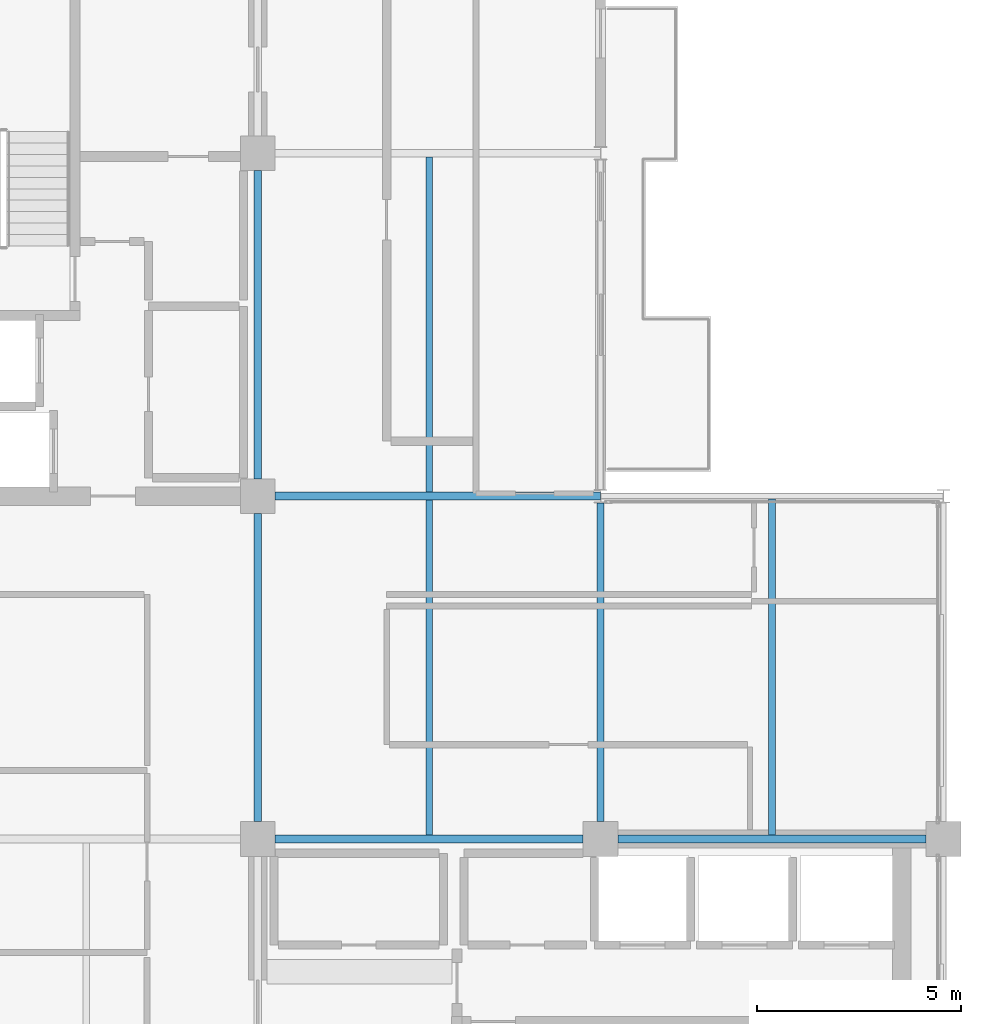
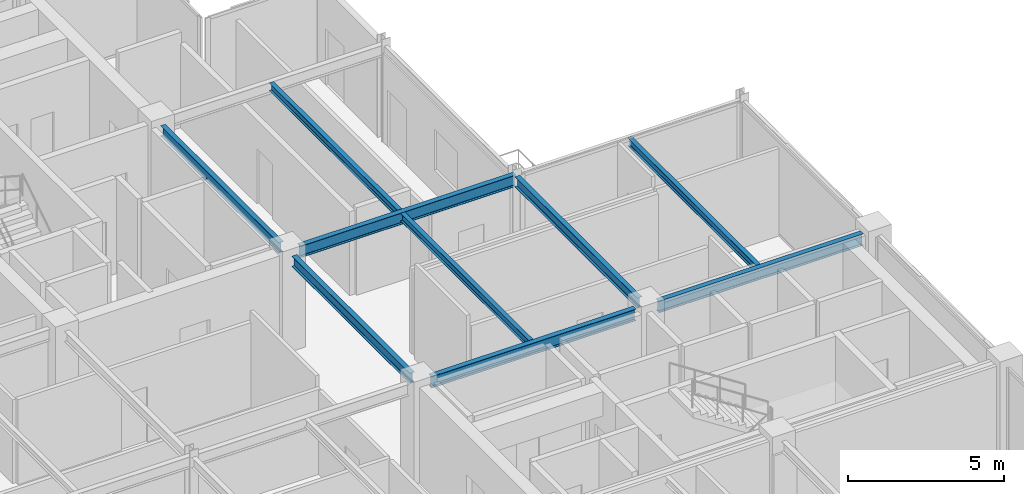
# One storey, part 12 of 24: 9 beams.
"""IFC4 building model written with IfcOpenShell, lengths in metres."""

from ifc_helpers import new_model, si_unit, direction, frame, origin, origin_2d, place, context, subcontext, project, spatial, i_section, extrude, material, material_profile, profile_set, type_object, element, save


model = new_model("IFC4")

# Units and contexts
model_context = context("Model", 3, precision=1e-05, world=origin(), true_north=direction((0.0, 1.0)))
body_context = subcontext(model_context, "Body", "Model", "MODEL_VIEW")
ifc_project = project(units=[si_unit("LENGTHUNIT", "METRE"), si_unit("AREAUNIT", "SQUARE_METRE"), si_unit("VOLUMEUNIT", "CUBIC_METRE"), si_unit("PLANEANGLEUNIT", "RADIAN"), si_unit("MASSUNIT", "GRAM", prefix="KILO")], contexts=[model_context])

# Site, building, storey
site_placement = place(None, origin())
site = spatial("IfcSite", under=ifc_project, at=site_placement, CompositionType="ELEMENT")
building_placement = place(site_placement, origin())
building = spatial("IfcBuilding", under=site, at=building_placement, Name="Nerrivon Quay Data Exchange", CompositionType="ELEMENT")
storey_placement = place(building_placement, frame((0.0, 0.0, 298.199951171875)))
storey = spatial("IfcBuildingStorey", under=building, at=storey_placement, Name="L71", CompositionType="ELEMENT", Elevation=298.199951171875)

# Beams
ifc_material = material(Name="Steel Grade 350", Category="steel")
ifc_material_profile_1 = material_profile(ifc_material, i_section(OverallWidth=0.18994140625, OverallDepth=0.4541015625, WebThickness=0.008544921875, FlangeThickness=0.0126953125, FilletRadius=0.011474609375, at=origin_2d()), Name="460UB67.1")
ifc_profile_set_1 = profile_set([ifc_material_profile_1], Name="Steel Grade 350")
beam_type_1 = type_object("IfcBeamType", Name="BM-G6-460UB67", PredefinedType="BEAM", material=ifc_profile_set_1)
beam_1_placement = place(storey_placement, frame((17.22509765625, 16.800048828125, 3.498046875), z_axis=(1.0, 0.0, 0.0), x_axis=(0.0, 1.0, 0.0)))
element("IfcBeam", 1, at=beam_1_placement, inside=storey, type_object=beam_type_1, Name="L71 EW Girder Y=16.8 (16.8..25.2)", PredefinedType="BEAM", context=body_context, shape_type="SweptSolid", body=[
    extrude(i_section(OverallWidth=0.18994140625, OverallDepth=0.4541015625, WebThickness=0.008544921875, FlangeThickness=0.0126953125, FilletRadius=0.011474609375, at=origin_2d()), origin(), (0.0, 0.0, 1.0), 7.5498046875),
])
beam_2_placement = place(storey_placement, frame((25.625, 16.800048828125, 3.498046875), z_axis=(1.0, 0.0, 0.0), x_axis=(0.0, 1.0, 0.0)))
element("IfcBeam", 2, at=beam_2_placement, inside=storey, type_object=beam_type_1, Name="L71 EW Girder Y=16.8 (25.2..33.6)", PredefinedType="BEAM", context=body_context, shape_type="SweptSolid", body=[
    extrude(i_section(OverallWidth=0.18994140625, OverallDepth=0.4541015625, WebThickness=0.008544921875, FlangeThickness=0.0126953125, FilletRadius=0.011474609375, at=origin_2d()), origin(), (0.0, 0.0, 1.0), 7.550048828125),
])
beam_3_placement = place(storey_placement, frame((17.22509765625, 25.199951171875, 3.498046875), z_axis=(1.0, 0.0, 0.0), x_axis=(0.0, 1.0, 0.0)))
element("IfcBeam", 3, at=beam_3_placement, inside=storey, type_object=beam_type_1, Name="L71 EW Girder Y=25.2 (16.8..25.2)", PredefinedType="BEAM", context=body_context, shape_type="SweptSolid", body=[
    extrude(i_section(OverallWidth=0.18994140625, OverallDepth=0.4541015625, WebThickness=0.008544921875, FlangeThickness=0.0126953125, FilletRadius=0.011474609375, at=origin_2d()), origin(), (0.0, 0.0, 1.0), 7.967041015625),
])
ifc_material_profile_2 = material_profile(ifc_material, i_section(OverallWidth=0.177978515625, OverallDepth=0.406005859375, WebThickness=0.0078125, FlangeThickness=0.0126953125, FilletRadius=0.011474609375, at=origin_2d()), Name="410UB59.7")
ifc_profile_set_2 = profile_set([ifc_material_profile_2], Name="Steel Grade 350")
beam_type_2 = type_object("IfcBeamType", Name="BM-J1-410UB60", PredefinedType="JOIST", material=ifc_profile_set_2)
beam_4_placement = place(storey_placement, frame((16.800048828125, 17.22509765625, 3.52197265625), z_axis=(0.0, 1.0, 0.0), x_axis=(-1.0, 0.0, 0.0)))
element("IfcBeam", 4, at=beam_4_placement, inside=storey, type_object=beam_type_2, Name="L71 NS Girder X=16.8 (16.8..25.2)", PredefinedType="JOIST", context=body_context, shape_type="SweptSolid", body=[
    extrude(i_section(OverallWidth=0.177978515625, OverallDepth=0.406005859375, WebThickness=0.0078125, FlangeThickness=0.0126953125, FilletRadius=0.011474609375, at=origin_2d()), origin(), (0.0, 0.0, 1.0), 7.5498046875),
])
beam_5_placement = place(storey_placement, frame((16.800048828125, 25.625, 3.52197265625), z_axis=(0.0, 1.0, 0.0), x_axis=(-1.0, 0.0, 0.0)))
element("IfcBeam", 5, at=beam_5_placement, inside=storey, type_object=beam_type_2, Name="L71 NS Girder X=16.8 (25.2..33.6)", PredefinedType="JOIST", context=body_context, shape_type="SweptSolid", body=[
    extrude(i_section(OverallWidth=0.177978515625, OverallDepth=0.406005859375, WebThickness=0.0078125, FlangeThickness=0.0126953125, FilletRadius=0.011474609375, at=origin_2d()), origin(), (0.0, 0.0, 1.0), 7.550048828125),
])
beam_6_placement = place(storey_placement, frame((25.199951171875, 17.22509765625, 3.52197265625), z_axis=(0.0, 1.0, 0.0), x_axis=(-1.0, 0.0, 0.0)))
element("IfcBeam", 6, at=beam_6_placement, inside=storey, type_object=beam_type_2, Name="L71 NS Girder X=25.2 (16.8..25.2)", PredefinedType="JOIST", context=body_context, shape_type="SweptSolid", body=[
    extrude(i_section(OverallWidth=0.177978515625, OverallDepth=0.406005859375, WebThickness=0.0078125, FlangeThickness=0.0126953125, FilletRadius=0.011474609375, at=origin_2d()), origin(), (0.0, 0.0, 1.0), 7.8115234375),
])
ifc_material_profile_3 = material_profile(ifc_material, i_section(OverallWidth=0.1650390625, OverallDepth=0.303955078125, WebThickness=0.006103515625, FlangeThickness=0.01025390625, FilletRadius=0.011474609375, at=origin_2d()), Name="310UB40.4")
ifc_profile_set_3 = profile_set([ifc_material_profile_3], Name="Steel Grade 350")
beam_type_3 = type_object("IfcBeamType", Name="BM-J6-310UB40", PredefinedType="JOIST", material=ifc_profile_set_3)
for number, where, z_axis, x_axis, name in (
    (7, (21.0, 16.89501953125, 3.572998046875), (0.0, 1.0, 0.0), (-1.0, 0.0, 0.0), "L71 Secondary Joist X=21.0 (16.8..25.2)"),
    (8, (21.0, 25.294921875, 3.572998046875), (0.0, 1.0, 0.0), (-1.0, 0.0, 0.0), "L71 Secondary Joist X=21.0 (25.2..33.6)"),
):
    element("IfcBeam", number, at=place(storey_placement, frame(where, z_axis=z_axis, x_axis=x_axis)), inside=storey, type_object=beam_type_3, Name=name, PredefinedType="JOIST", context=body_context, shape_type="SweptSolid", body=[
        extrude(i_section(OverallWidth=0.1650390625, OverallDepth=0.303955078125, WebThickness=0.006103515625, FlangeThickness=0.01025390625, FilletRadius=0.011474609375, at=origin_2d()), origin(), (0.0, 0.0, 1.0), 8.2099609375),
    ])
beam_7_placement = place(storey_placement, frame((29.39990234375, 16.89501953125, 3.572998046875), z_axis=(0.0, 1.0, 0.0), x_axis=(-1.0, 0.0, 0.0)))
element("IfcBeam", 9, at=beam_7_placement, inside=storey, type_object=beam_type_3, Name="L71 Secondary Joist X=29.4 (16.8..25.2)", PredefinedType="JOIST", context=body_context, shape_type="SweptSolid", body=[
    extrude(i_section(OverallWidth=0.1650390625, OverallDepth=0.303955078125, WebThickness=0.006103515625, FlangeThickness=0.01025390625, FilletRadius=0.011474609375, at=origin_2d()), origin(), (0.0, 0.0, 1.0), 8.22998046875),
])

save(model, "model.ifc")
